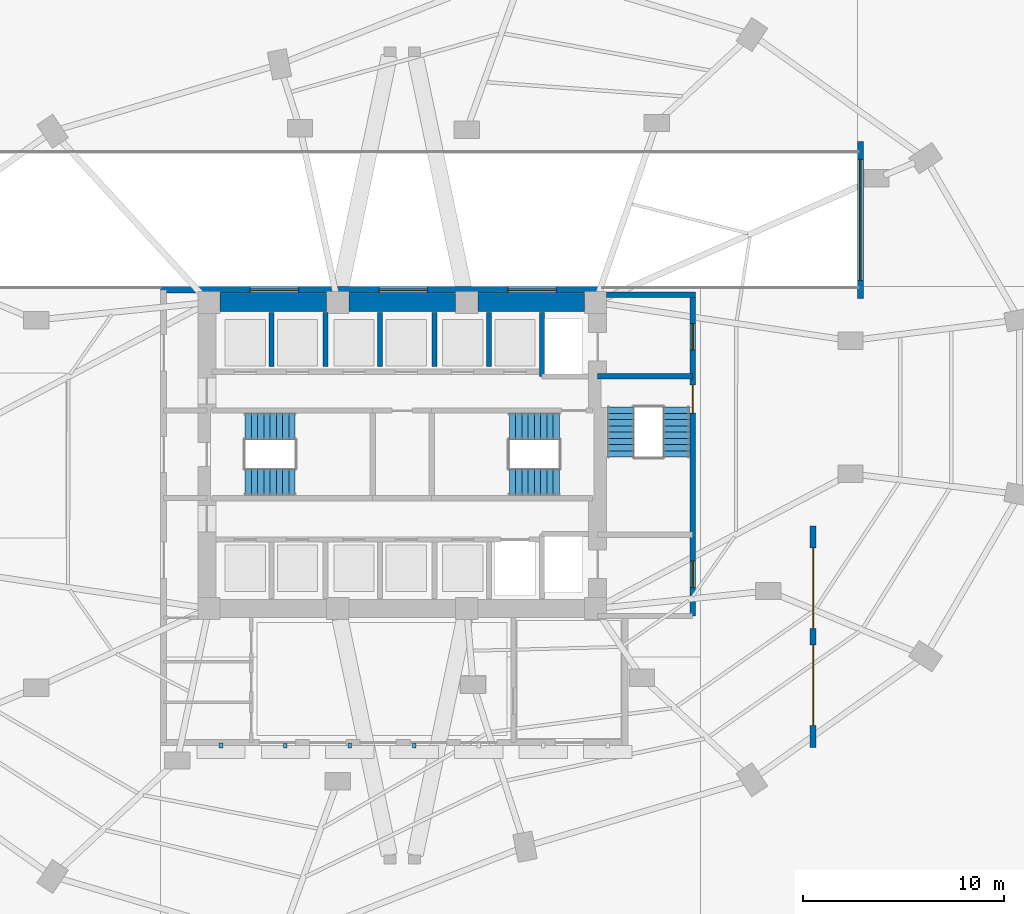
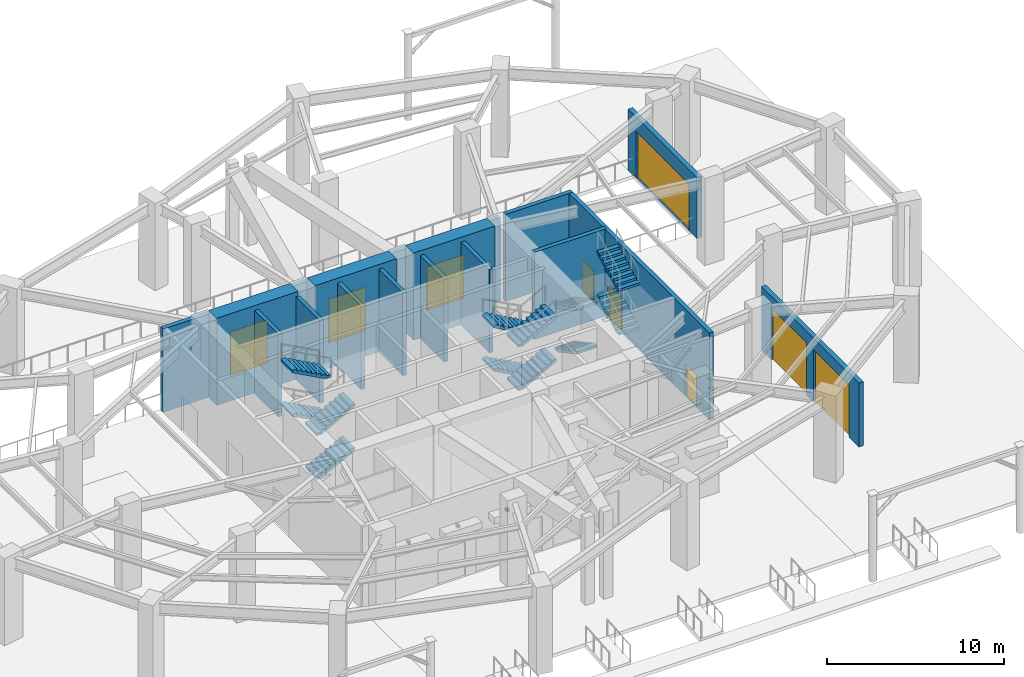
# One storey, part 10 of 14: 15 walls, 12 stair flights, 6 doors, 4 discrete accessories, 3 windows, 9 openings, 3 elements without a shape of their own.
"""IFC4 building model written with IfcOpenShell, lengths in metres."""

from ifc_helpers import new_model, si_unit, direction, frame, frame_2d, origin, origin_2d, place, context, subcontext, project, spatial, polyline, rectangle, outline, extrude, material, layer, layer_set, type_object, element, fill, aggregate, save


model = new_model("IFC4")

# Units and contexts
model_context = context("Model", 3, precision=1e-05, world=origin(), true_north=direction((0.0, 1.0)))
body_context = subcontext(model_context, "Body", "Model", "MODEL_VIEW")
ifc_project = project(units=[si_unit("LENGTHUNIT", "METRE"), si_unit("AREAUNIT", "SQUARE_METRE"), si_unit("VOLUMEUNIT", "CUBIC_METRE"), si_unit("PLANEANGLEUNIT", "RADIAN"), si_unit("MASSUNIT", "GRAM", prefix="KILO")], contexts=[model_context])

# Site, building, storey
site_placement = place(None, origin())
site = spatial("IfcSite", under=ifc_project, at=site_placement, CompositionType="ELEMENT")
building_placement = place(site_placement, origin())
building = spatial("IfcBuilding", under=site, at=building_placement, Name="Lazwardi Medical Tower", CompositionType="ELEMENT")
storey_placement = place(building_placement, origin())
storey = spatial("IfcBuildingStorey", under=building, at=storey_placement, Name="L00", CompositionType="ELEMENT", Elevation=0.0)

# Walls
ifc_material_1 = material(Name="Concrete C80/95", Category="concrete")
ifc_layer_1 = layer(ifc_material_1, 0.89990234375)
ifc_layer_set_1 = layer_set([ifc_layer_1], Name="Concrete C80/95")
wall_type_1 = type_object("IfcWallType", Name="WL-CORE-900", PredefinedType="SHEAR", material=ifc_layer_set_1)
wall_1_placement = place(storey_placement, frame((26.949951171875, 35.60009765625, 0.0), z_axis=(0.0, 0.0, 1.0), x_axis=(1.0, 0.0, 0.0)))
element("IfcWall", 1, at=wall_1_placement, inside=storey, type_object=wall_type_1, Name="Core wall CW-S1 N1 L00", PredefinedType="SHEAR", context=body_context, shape_type="SweptSolid", body=[
    extrude(rectangle(XDim=5.300048828125, YDim=0.89990234375, at=frame_2d((2.64990234375, 0.0))), origin(), (0.0, 0.0, 1.0), 6.0),
])
wall_2_placement = place(storey_placement, frame((33.35009765625, 35.60009765625, 0.0), z_axis=(0.0, 0.0, 1.0), x_axis=(1.0, 0.0, 0.0)))
element("IfcWall", 2, at=wall_2_placement, inside=storey, type_object=wall_type_1, Name="Core wall CW-S1 N2 L00", PredefinedType="SHEAR", context=body_context, shape_type="SweptSolid", body=[
    extrude(rectangle(XDim=5.2998046875, YDim=0.89990234375, at=frame_2d((2.64990234375, 0.0))), origin(), (0.0, 0.0, 1.0), 6.0),
])
wall_3_placement = place(storey_placement, frame((39.75, 35.60009765625, 0.0), z_axis=(0.0, 0.0, 1.0), x_axis=(1.0, 0.0, 0.0)))
element("IfcWall", 3, at=wall_3_placement, inside=storey, type_object=wall_type_1, Name="Core wall CW-S1 N3 L00", PredefinedType="SHEAR", context=body_context, shape_type="SweptSolid", body=[
    extrude(rectangle(XDim=5.300048828125, YDim=0.89990234375, at=frame_2d((2.64990234375, 0.0))), origin(), (0.0, 0.0, 1.0), 6.0),
])

# Wall, openings, windows
ifc_material_2 = material(Name="Precast concrete C45/55", Category="concrete")
ifc_layer_2 = layer(ifc_material_2, 0.300048828125)
ifc_layer_set_2 = layer_set([ifc_layer_2], Name="Precast concrete C45/55")
wall_type_2 = type_object("IfcWallType", Name="WL-LOBBY-300", PredefinedType="SOLIDWALL", material=ifc_layer_set_2)
wall_4_placement = place(storey_placement, frame((24.0, 36.22998046875, 0.0), z_axis=(0.0, 0.0, 1.0), x_axis=(1.0, 0.0, 0.0)))
wall_4 = element("IfcWall", 4, at=wall_4_placement, inside=storey, type_object=wall_type_2, Name="L00 North Lobby Exterior Wall", PredefinedType="SOLIDWALL", context=body_context, shape_type="SweptSolid", body=[
    extrude(rectangle(XDim=21.949951171875, YDim=0.300048828125, at=frame_2d((10.97509765625, 0.0))), origin(), (0.0, 0.0, 1.0), 5.719970703125),
])
opening_1_placement = place(wall_4_placement, frame((4.449951171875, 0.0, 0.89990234375)))
opening_1 = element("IfcOpeningElement", 5, at=opening_1_placement, cuts=wall_4, Name="Opening WN-05", PredefinedType="OPENING", context=body_context, shape_type="SweptSolid", body=[
    extrude(rectangle(XDim=2.39990234375, YDim=3.0, at=frame_2d((1.199951171875, 1.5))), frame((0.0, 0.159912109375, 0.0), z_axis=(0.0, -1.0, 0.0), x_axis=(1.0, 0.0, 0.0)), (0.0, 0.0, 1.0), 0.320068359375),
])
opening_2_placement = place(wall_4_placement, frame((10.85009765625, 0.0, 0.89990234375)))
opening_2 = element("IfcOpeningElement", 6, at=opening_2_placement, cuts=wall_4, Name="Opening WN-05", PredefinedType="OPENING", context=body_context, shape_type="SweptSolid", body=[
    extrude(rectangle(XDim=2.39990234375, YDim=3.0, at=frame_2d((1.199951171875, 1.5))), frame((0.0, 0.159912109375, 0.0), z_axis=(0.0, -1.0, 0.0), x_axis=(1.0, 0.0, 0.0)), (0.0, 0.0, 1.0), 0.320068359375),
])
opening_3_placement = place(wall_4_placement, frame((17.25, 0.0, 0.89990234375)))
opening_3 = element("IfcOpeningElement", 7, at=opening_3_placement, cuts=wall_4, Name="Opening WN-05", PredefinedType="OPENING", context=body_context, shape_type="SweptSolid", body=[
    extrude(rectangle(XDim=2.39990234375, YDim=3.0, at=frame_2d((1.199951171875, 1.5))), frame((0.0, 0.159912109375, 0.0), z_axis=(0.0, -1.0, 0.0), x_axis=(1.0, 0.0, 0.0)), (0.0, 0.0, 1.0), 0.320068359375),
])
ifc_material_3 = material(Name="Laminated acoustic bronze double glazing", Category="glass")
window_type = type_object("IfcWindowType", Name="WIN-LOB-2400", PartitioningType="SINGLE_PANEL", PredefinedType="WINDOW", material=ifc_material_3)
window_1_placement = place(opening_1_placement, origin())
window_1 = element("IfcWindow", 8, at=window_1_placement, inside=storey, type_object=window_type, Name="L00 North Lobby Window 1", OverallHeight=3.0, OverallWidth=2.39990234375, PartitioningType="SINGLE_PANEL", PredefinedType="WINDOW", context=body_context, shape_type="SweptSolid", body=[
    extrude(rectangle(XDim=2.39990234375, YDim=3.0, at=frame_2d((1.199951171875, 1.5))), frame((0.0, 0.030029296875, 0.0), z_axis=(0.0, -1.0, 0.0), x_axis=(1.0, 0.0, 0.0)), (0.0, 0.0, 1.0), 0.06005859375),
])
fill(opening_1, window_1)
window_2_placement = place(opening_2_placement, origin())
window_2 = element("IfcWindow", 9, at=window_2_placement, inside=storey, type_object=window_type, Name="L00 North Lobby Window 2", OverallHeight=3.0, OverallWidth=2.39990234375, PartitioningType="SINGLE_PANEL", PredefinedType="WINDOW", context=body_context, shape_type="SweptSolid", body=[
    extrude(rectangle(XDim=2.39990234375, YDim=3.0, at=frame_2d((1.199951171875, 1.5))), frame((0.0, 0.030029296875, 0.0), z_axis=(0.0, -1.0, 0.0), x_axis=(1.0, 0.0, 0.0)), (0.0, 0.0, 1.0), 0.06005859375),
])
fill(opening_2, window_2)
window_3_placement = place(opening_3_placement, origin())
window_3 = element("IfcWindow", 10, at=window_3_placement, inside=storey, type_object=window_type, Name="L00 North Lobby Window 3", OverallHeight=3.0, OverallWidth=2.39990234375, PartitioningType="SINGLE_PANEL", PredefinedType="WINDOW", context=body_context, shape_type="SweptSolid", body=[
    extrude(rectangle(XDim=2.39990234375, YDim=3.0, at=frame_2d((1.199951171875, 1.5))), frame((0.0, 0.030029296875, 0.0), z_axis=(0.0, -1.0, 0.0), x_axis=(1.0, 0.0, 0.0)), (0.0, 0.0, 1.0), 0.06005859375),
])
fill(opening_3, window_3)

# Wall, opening, door
wall_5_placement = place(storey_placement, frame((58.75, 43.60009765625, 0.0), z_axis=(0.0, 0.0, 1.0), x_axis=(0.0, -1.0, 0.0)))
wall_5 = element("IfcWall", 11, at=wall_5_placement, inside=storey, type_object=wall_type_2, Name="L00 Car Park Ramp Exterior Portal Wall", PredefinedType="SOLIDWALL", context=body_context, shape_type="SweptSolid", body=[
    extrude(rectangle(XDim=7.800048828125, YDim=0.300048828125, at=frame_2d((3.89990234375, 0.0))), origin(), (0.0, 0.0, 1.0), 4.199951171875),
])
opening_4_placement = place(wall_5_placement, frame((0.89990234375, 0.0, 0.0)))
opening_4 = element("IfcOpeningElement", 12, at=opening_4_placement, cuts=wall_5, Name="Opening VG-L00-001", PredefinedType="OPENING", context=body_context, shape_type="SweptSolid", body=[
    extrude(rectangle(XDim=6.0, YDim=3.199951171875, at=frame_2d((3.0, 1.60009765625))), frame((0.0, 0.159912109375, 0.0), z_axis=(0.0, -1.0, 0.0), x_axis=(1.0, 0.0, 0.0)), (0.0, 0.0, 1.0), 0.320068359375),
])
ifc_material_4 = material(Name="Perforated anodised bronze aluminium security gate", Category="aluminium")
door_type_1 = type_object("IfcDoorType", Name="DR-VEH-6000", OperationType="NOTDEFINED", PredefinedType="GATE", material=ifc_material_4)
door_1_placement = place(opening_4_placement, origin())
door_1 = element("IfcDoor", 13, at=door_1_placement, inside=storey, type_object=door_type_1, Name="L00 Car Park Vehicle Ramp Gate VG-01", OperationType="FOLDING_TO_LEFT", OverallHeight=3.199951171875, OverallWidth=6.0, PredefinedType="GATE", context=body_context, shape_type="SweptSolid", body=[
    extrude(rectangle(XDim=6.0, YDim=3.199951171875, at=frame_2d((3.0, 1.60009765625))), frame((0.0, 0.02490234375, 0.0), z_axis=(0.0, -1.0, 0.0), x_axis=(1.0, 0.0, 0.0)), (0.0, 0.0, 1.0), 0.050048828125),
])
fill(opening_4, door_1)

# Wall, openings, doors
wall_6_placement = place(storey_placement, frame((56.39990234375, 24.5, 0.0), z_axis=(0.0, 0.0, 1.0), x_axis=(0.0, -1.0, 0.0)))
wall_6 = element("IfcWall", 14, at=wall_6_placement, inside=storey, type_object=wall_type_2, Name="L00 Ambulance & Service Bay Portal Wall", PredefinedType="SOLIDWALL", context=body_context, shape_type="SweptSolid", body=[
    extrude(rectangle(XDim=11.0, YDim=0.300048828125, at=frame_2d((5.5, 0.0))), origin(), (0.0, 0.0, 1.0), 4.39990234375),
])
opening_5_placement = place(wall_6_placement, frame((1.10009765625, 0.0, 0.0)))
opening_5 = element("IfcOpeningElement", 15, at=opening_5_placement, cuts=wall_6, Name="Opening VG-L00-002", PredefinedType="OPENING", context=body_context, shape_type="SweptSolid", body=[
    extrude(rectangle(XDim=4.0, YDim=3.60009765625, at=frame_2d((2.0, 1.800048828125))), frame((0.0, 0.159912109375, 0.0), z_axis=(0.0, -1.0, 0.0), x_axis=(1.0, 0.0, 0.0)), (0.0, 0.0, 1.0), 0.320068359375),
])
opening_6_placement = place(wall_6_placement, frame((5.89990234375, 0.0, 0.0)))
opening_6 = element("IfcOpeningElement", 16, at=opening_6_placement, cuts=wall_6, Name="Opening VG-L00-003", PredefinedType="OPENING", context=body_context, shape_type="SweptSolid", body=[
    extrude(rectangle(XDim=4.0, YDim=3.60009765625, at=frame_2d((2.0, 1.800048828125))), frame((0.0, 0.159912109375, 0.0), z_axis=(0.0, -1.0, 0.0), x_axis=(1.0, 0.0, 0.0)), (0.0, 0.0, 1.0), 0.320068359375),
])
ifc_material_5 = material(Name="Insulated galvanised steel roller shutter", Category="steel")
door_type_2 = type_object("IfcDoorType", Name="DR-LDG-4000", OperationType="NOTDEFINED", PredefinedType="GATE", material=ifc_material_5)
door_2_placement = place(opening_5_placement, origin())
door_2 = element("IfcDoor", 17, at=door_2_placement, inside=storey, type_object=door_type_2, Name="L00 Service Yard Shutter VG-02-1", OperationType="ROLLINGUP", OverallHeight=3.60009765625, OverallWidth=4.0, PredefinedType="GATE", context=body_context, shape_type="SweptSolid", body=[
    extrude(rectangle(XDim=4.0, YDim=3.60009765625, at=frame_2d((2.0, 1.800048828125))), frame((0.0, 0.02490234375, 0.0), z_axis=(0.0, -1.0, 0.0), x_axis=(1.0, 0.0, 0.0)), (0.0, 0.0, 1.0), 0.050048828125),
])
fill(opening_5, door_2)
door_3_placement = place(opening_6_placement, origin())
door_3 = element("IfcDoor", 18, at=door_3_placement, inside=storey, type_object=door_type_2, Name="L00 Service Yard Shutter VG-02-2", OperationType="ROLLINGUP", OverallHeight=3.60009765625, OverallWidth=4.0, PredefinedType="GATE", context=body_context, shape_type="SweptSolid", body=[
    extrude(rectangle(XDim=4.0, YDim=3.60009765625, at=frame_2d((2.0, 1.800048828125))), frame((0.0, 0.02490234375, 0.0), z_axis=(0.0, -1.0, 0.0), x_axis=(1.0, 0.0, 0.0)), (0.0, 0.0, 1.0), 0.050048828125),
])
fill(opening_6, door_3)

# Walls
ifc_material_6 = material(Name="Autoclaved aerated concrete blockwork", Category="masonry")
ifc_layer_3 = layer(ifc_material_6, 0.25)
ifc_layer_set_3 = layer_set([ifc_layer_3], Name="Autoclaved aerated concrete blockwork")
wall_type_3 = type_object("IfcWallType", Name="WL-SHAFT-250", PredefinedType="SOLIDWALL", material=ifc_layer_set_3)
wall_7_placement = place(storey_placement, frame((42.949951171875, 31.919921875, 0.0), z_axis=(0.0, 0.0, 1.0), x_axis=(0.0, 1.0, 0.0)))
element("IfcWall", 19, at=wall_7_placement, inside=storey, type_object=wall_type_3, Name="L00 FL-01 West shaft wall", PredefinedType="SOLIDWALL", context=body_context, shape_type="SweptSolid", body=[
    extrude(rectangle(XDim=3.18017578125, YDim=0.25, at=frame_2d((1.590087890625, 0.0))), origin(), (0.0, 0.0, 1.0), 5.719970703125),
])
for number, where, z_axis, x_axis, name in (
    (20, (29.5, 32.419921875, 0.0), (0.0, 0.0, 1.0), (0.0, 1.0, 0.0), "L00 North hoistway divider"),
    (21, (32.199951171875, 32.419921875, 0.0), (0.0, 0.0, 1.0), (0.0, 1.0, 0.0), "L00 North hoistway divider"),
    (22, (34.89990234375, 32.419921875, 0.0), (0.0, 0.0, 1.0), (0.0, 1.0, 0.0), "L00 North hoistway divider"),
    (23, (37.60009765625, 32.419921875, 0.0), (0.0, 0.0, 1.0), (0.0, 1.0, 0.0), "L00 North hoistway divider"),
    (24, (40.300048828125, 32.419921875, 0.0), (0.0, 0.0, 1.0), (0.0, 1.0, 0.0), "L00 North hoistway divider"),
):
    element("IfcWall", number, at=place(storey_placement, frame(where, z_axis=z_axis, x_axis=x_axis)), inside=storey, type_object=wall_type_3, Name=name, PredefinedType="SOLIDWALL", context=body_context, shape_type="SweptSolid", body=[
        extrude(rectangle(XDim=2.68017578125, YDim=0.25, at=frame_2d((1.340087890625, 0.0))), origin(), (0.0, 0.0, 1.0), 5.719970703125),
    ])

# Wall, openings, doors
ifc_material_7 = material(Name="Concrete C50/60", Category="concrete")
ifc_layer_4 = layer(ifc_material_7, 0.27001953125)
ifc_layer_set_4 = layer_set([ifc_layer_4], Name="Concrete C50/60")
wall_type_4 = type_object("IfcWallType", Name="WL-STR-250", PredefinedType="SHEAR", material=ifc_layer_set_4)
wall_8_placement = place(storey_placement, frame((50.4150390625, 35.844970703125, 0.0), z_axis=(0.0, 0.0, 1.0), x_axis=(0.0, -1.0, 0.0)))
wall_8 = element("IfcWall", 25, at=wall_8_placement, inside=storey, type_object=wall_type_4, Name="L00 East ST3 & FFL shear wall SW-S1", PredefinedType="SHEAR", context=body_context, shape_type="SweptSolid", body=[
    extrude(rectangle(XDim=15.824951171875, YDim=0.27001953125, at=frame_2d((7.91259765625, 0.0))), origin(), (0.0, 0.0, 1.0), 6.0),
])
opening_7_placement = place(wall_8_placement, frame((4.344970703125, 0.0, 0.0)))
opening_7 = element("IfcOpeningElement", 26, at=opening_7_placement, cuts=wall_8, Name="Opening D-L00-011", PredefinedType="OPENING", context=body_context, shape_type="SweptSolid", body=[
    extrude(rectangle(XDim=1.39990234375, YDim=2.25, at=frame_2d((0.699951171875, 1.125))), frame((0.0, 0.14501953125, 0.0), z_axis=(0.0, -1.0, 0.0), x_axis=(1.0, 0.0, 0.0)), (0.0, 0.0, 1.0), 0.2900390625),
])
opening_8_placement = place(wall_8_placement, frame((1.294921875, 0.0, 0.0)))
opening_8 = element("IfcOpeningElement", 27, at=opening_8_placement, cuts=wall_8, Name="Opening D-L00-004", PredefinedType="OPENING", context=body_context, shape_type="SweptSolid", body=[
    extrude(rectangle(XDim=1.300048828125, YDim=2.199951171875, at=frame_2d((0.64990234375, 1.10009765625))), frame((0.0, 0.14501953125, 0.0), z_axis=(0.0, -1.0, 0.0), x_axis=(1.0, 0.0, 0.0)), (0.0, 0.0, 1.0), 0.2900390625),
])
opening_9_placement = place(wall_8_placement, frame((13.094970703125, 0.0, 0.0)))
opening_9 = element("IfcOpeningElement", 28, at=opening_9_placement, cuts=wall_8, Name="Opening D-L00-005", PredefinedType="OPENING", context=body_context, shape_type="SweptSolid", body=[
    extrude(rectangle(XDim=1.300048828125, YDim=2.199951171875, at=frame_2d((0.64990234375, 1.10009765625))), frame((0.0, 0.14501953125, 0.0), z_axis=(0.0, -1.0, 0.0), x_axis=(1.0, 0.0, 0.0)), (0.0, 0.0, 1.0), 0.2900390625),
])
ifc_material_8 = material(Name="Anodised bronze aluminium and laminated glass", Category="aluminium")
door_type_3 = type_object("IfcDoorType", Name="DR-EXT-1400", OperationType="NOTDEFINED", PredefinedType="DOOR", material=ifc_material_8)
door_4_placement = place(opening_7_placement, origin())
door_4 = element("IfcDoor", 29, at=door_4_placement, inside=storey, type_object=door_type_3, Name="L00 Exit Stair ST3 Final Exit Door", OperationType="SINGLE_SWING_LEFT", OverallHeight=2.25, OverallWidth=1.39990234375, PredefinedType="DOOR", context=body_context, shape_type="SweptSolid", body=[
    extrude(rectangle(XDim=1.39990234375, YDim=2.25, at=frame_2d((0.699951171875, 1.125))), frame((0.0, 0.02490234375, 0.0), z_axis=(0.0, -1.0, 0.0), x_axis=(1.0, 0.0, 0.0)), (0.0, 0.0, 1.0), 0.050048828125),
])
fill(opening_7, door_4)
ifc_material_9 = material(Name="Fire-rated steel leaf and frame", Category="steel")
door_type_4 = type_object("IfcDoorType", Name="DR-FFL-1300", OperationType="NOTDEFINED", PredefinedType="DOOR", material=ifc_material_9)
door_5_placement = place(opening_8_placement, origin())
door_5 = element("IfcDoor", 30, at=door_5_placement, inside=storey, type_object=door_type_4, Name="L00 FFL North Exit Door", OperationType="SINGLE_SWING_LEFT", OverallHeight=2.199951171875, OverallWidth=1.300048828125, PredefinedType="DOOR", context=body_context, shape_type="SweptSolid", body=[
    extrude(rectangle(XDim=1.300048828125, YDim=2.199951171875, at=frame_2d((0.64990234375, 1.10009765625))), frame((0.0, 0.02490234375, 0.0), z_axis=(0.0, -1.0, 0.0), x_axis=(1.0, 0.0, 0.0)), (0.0, 0.0, 1.0), 0.050048828125),
])
fill(opening_8, door_5)
door_6_placement = place(opening_9_placement, origin())
door_6 = element("IfcDoor", 31, at=door_6_placement, inside=storey, type_object=door_type_4, Name="L00 FFL South Exit Door", OperationType="SINGLE_SWING_LEFT", OverallHeight=2.199951171875, OverallWidth=1.300048828125, PredefinedType="DOOR", context=body_context, shape_type="SweptSolid", body=[
    extrude(rectangle(XDim=1.300048828125, YDim=2.199951171875, at=frame_2d((0.64990234375, 1.10009765625))), frame((0.0, 0.02490234375, 0.0), z_axis=(0.0, -1.0, 0.0), x_axis=(1.0, 0.0, 0.0)), (0.0, 0.0, 1.0), 0.050048828125),
])
fill(opening_9, door_6)

# Walls
wall_9_placement = place(storey_placement, frame((46.14990234375, 35.97998046875, 0.0), z_axis=(0.0, 0.0, 1.0), x_axis=(1.0, 0.0, 0.0)))
element("IfcWall", 32, at=wall_9_placement, inside=storey, type_object=wall_type_4, Name="L00 FFL-N North shear wall SW-S1", PredefinedType="SHEAR", context=body_context, shape_type="SweptSolid", body=[
    extrude(rectangle(XDim=4.400146484375, YDim=0.27001953125, at=frame_2d((2.2001953125, 0.0))), origin(), (0.0, 0.0, 1.0), 6.0),
])
wall_10_placement = place(storey_placement, frame((45.699951171875, 31.93505859375, 0.0), z_axis=(0.0, 0.0, 1.0), x_axis=(1.0, 0.0, 0.0)))
element("IfcWall", 33, at=wall_10_placement, inside=storey, type_object=wall_type_4, Name="L00 ST3 North shear shaft wall SW-S1", PredefinedType="SHEAR", context=body_context, shape_type="SweptSolid", body=[
    extrude(rectangle(XDim=4.715087890625, YDim=0.27001953125, at=frame_2d((2.357421875, 0.0))), origin(), (0.0, 0.0, 1.0), 6.0),
])

# Stair, stair flights
ifc_material_10 = material(Name="Concrete C45/55", Category="concrete")
stair_type = type_object("IfcStairType", Name="STR-L00", PredefinedType="HALF_TURN_STAIR", material=ifc_material_10)
stair_1_placement = place(storey_placement, origin())
stair_1 = element("IfcStair", 34, at=stair_1_placement, inside=storey, type_object=stair_type, Name="L00 Protected Exit Stair ST1", PredefinedType="HALF_TURN_STAIR")
stair_flight_type = type_object("IfcStairFlightType", Name="FLT-L00", PredefinedType="STRAIGHT", material=ifc_material_10)
stair_flight_1_placement = place(storey_placement, frame((28.199951171875, 26.679931640625, 0.0), z_axis=(0.0, 0.0, 1.0), x_axis=(1.0, 0.0, 0.0)))
stair_flight_1 = element("IfcStairFlight", 35, at=stair_flight_1_placement, type_object=stair_flight_type, Name="ST1 flight 1", NumberOfRisers=9, NumberOfTreads=8, PredefinedType="STRAIGHT", RiserHeight=0.166666667, TreadLength=0.31, context=body_context, shape_type="SweptSolid", body=[
    extrude(outline(polyline([(0.0, 0.0), (0.0, 0.166748046875), (0.31005859375, 0.166748046875), (0.31005859375, 0.333251953125), (0.6201171875, 0.333251953125), (0.6201171875, 0.5), (0.929931640625, 0.5), (0.929931640625, 0.666748046875), (1.239990234375, 0.666748046875), (1.239990234375, 0.833251953125), (1.550048828125, 0.833251953125), (1.550048828125, 1.0), (1.860107421875, 1.0), (1.860107421875, 1.166748046875), (2.169921875, 1.166748046875), (2.169921875, 1.333251953125), (2.47998046875, 1.333251953125), (2.47998046875, 1.5), (2.47998046875, 1.1630859375), (0.316650390625, 0.0), (0.0, 0.0)])), frame((0.0, 0.66015625, 0.0), z_axis=(0.0, -1.0, 0.0), x_axis=(1.0, 0.0, 0.0)), (0.0, 0.0, 1.0), 1.320068359375),
])
stair_flight_2_placement = place(storey_placement, frame((30.679931640625, 29.43994140625, 1.5), z_axis=(0.0, 0.0, 1.0), x_axis=(-1.0, 0.0, 0.0)))
stair_flight_2 = element("IfcStairFlight", 36, at=stair_flight_2_placement, type_object=stair_flight_type, Name="ST1 flight 2", NumberOfRisers=9, NumberOfTreads=8, PredefinedType="STRAIGHT", RiserHeight=0.166666667, TreadLength=0.31, context=body_context, shape_type="SweptSolid", body=[
    extrude(outline(polyline([(0.0, 0.0), (0.0, 0.166748046875), (0.31005859375, 0.166748046875), (0.31005859375, 0.333251953125), (0.6201171875, 0.333251953125), (0.6201171875, 0.5), (0.929931640625, 0.5), (0.929931640625, 0.666748046875), (1.239990234375, 0.666748046875), (1.239990234375, 0.833251953125), (1.550048828125, 0.833251953125), (1.550048828125, 1.0), (1.860107421875, 1.0), (1.860107421875, 1.166748046875), (2.169921875, 1.166748046875), (2.169921875, 1.333251953125), (2.47998046875, 1.333251953125), (2.47998046875, 1.5), (2.47998046875, 1.1630859375), (0.316650390625, 0.0), (0.0, 0.0)])), frame((0.0, 0.66015625, 0.0), z_axis=(0.0, -1.0, 0.0), x_axis=(1.0, 0.0, 0.0)), (0.0, 0.0, 1.0), 1.320068359375),
])
stair_flight_3_placement = place(storey_placement, frame((28.199951171875, 26.679931640625, 3.0), z_axis=(0.0, 0.0, 1.0), x_axis=(1.0, 0.0, 0.0)))
stair_flight_3 = element("IfcStairFlight", 37, at=stair_flight_3_placement, type_object=stair_flight_type, Name="ST1 flight 3", NumberOfRisers=9, NumberOfTreads=8, PredefinedType="STRAIGHT", RiserHeight=0.166666667, TreadLength=0.31, context=body_context, shape_type="SweptSolid", body=[
    extrude(outline(polyline([(0.0, 0.0), (0.0, 0.166748046875), (0.31005859375, 0.166748046875), (0.31005859375, 0.333251953125), (0.6201171875, 0.333251953125), (0.6201171875, 0.5), (0.929931640625, 0.5), (0.929931640625, 0.666748046875), (1.239990234375, 0.666748046875), (1.239990234375, 0.833251953125), (1.550048828125, 0.833251953125), (1.550048828125, 1.0), (1.860107421875, 1.0), (1.860107421875, 1.166748046875), (2.169921875, 1.166748046875), (2.169921875, 1.333251953125), (2.47998046875, 1.333251953125), (2.47998046875, 1.5), (2.47998046875, 1.1630859375), (0.316650390625, 0.0), (0.0, 0.0)])), frame((0.0, 0.66015625, 0.0), z_axis=(0.0, -1.0, 0.0), x_axis=(1.0, 0.0, 0.0)), (0.0, 0.0, 1.0), 1.320068359375),
])
stair_flight_4_placement = place(storey_placement, frame((30.679931640625, 29.43994140625, 4.5), z_axis=(0.0, 0.0, 1.0), x_axis=(-1.0, 0.0, 0.0)))
stair_flight_4 = element("IfcStairFlight", 38, at=stair_flight_4_placement, type_object=stair_flight_type, Name="ST1 flight 4", NumberOfRisers=9, NumberOfTreads=8, PredefinedType="STRAIGHT", RiserHeight=0.166666667, TreadLength=0.31, context=body_context, shape_type="SweptSolid", body=[
    extrude(outline(polyline([(0.0, 0.0), (0.0, 0.166748046875), (0.31005859375, 0.166748046875), (0.31005859375, 0.333251953125), (0.6201171875, 0.333251953125), (0.6201171875, 0.5), (0.929931640625, 0.5), (0.929931640625, 0.666748046875), (1.239990234375, 0.666748046875), (1.239990234375, 0.833251953125), (1.550048828125, 0.833251953125), (1.550048828125, 1.0), (1.860107421875, 1.0), (1.860107421875, 1.166748046875), (2.169921875, 1.166748046875), (2.169921875, 1.333251953125), (2.47998046875, 1.333251953125), (2.47998046875, 1.5), (2.47998046875, 1.1630859375), (0.316650390625, 0.0), (0.0, 0.0)])), frame((0.0, 0.66015625, 0.0), z_axis=(0.0, -1.0, 0.0), x_axis=(1.0, 0.0, 0.0)), (0.0, 0.0, 1.0), 1.320068359375),
])
aggregate(stair_1, [stair_flight_1, stair_flight_2, stair_flight_3, stair_flight_4])

stair_2_placement = place(storey_placement, origin())
stair_2 = element("IfcStair", 39, at=stair_2_placement, inside=storey, type_object=stair_type, Name="L00 Protected Exit Stair ST2", PredefinedType="HALF_TURN_STAIR")
stair_flight_5_placement = place(storey_placement, frame((43.800048828125, 29.43994140625, 0.0), z_axis=(0.0, 0.0, 1.0), x_axis=(-1.0, 0.0, 0.0)))
stair_flight_5 = element("IfcStairFlight", 40, at=stair_flight_5_placement, type_object=stair_flight_type, Name="ST2 flight 1", NumberOfRisers=9, NumberOfTreads=8, PredefinedType="STRAIGHT", RiserHeight=0.166666667, TreadLength=0.31, context=body_context, shape_type="SweptSolid", body=[
    extrude(outline(polyline([(0.0, 0.0), (0.0, 0.166748046875), (0.31005859375, 0.166748046875), (0.31005859375, 0.333251953125), (0.6201171875, 0.333251953125), (0.6201171875, 0.5), (0.929931640625, 0.5), (0.929931640625, 0.666748046875), (1.239990234375, 0.666748046875), (1.239990234375, 0.833251953125), (1.550048828125, 0.833251953125), (1.550048828125, 1.0), (1.860107421875, 1.0), (1.860107421875, 1.166748046875), (2.169921875, 1.166748046875), (2.169921875, 1.333251953125), (2.47998046875, 1.333251953125), (2.47998046875, 1.5), (2.47998046875, 1.1630859375), (0.316650390625, 0.0), (0.0, 0.0)])), frame((0.0, 0.66015625, 0.0), z_axis=(0.0, -1.0, 0.0), x_axis=(1.0, 0.0, 0.0)), (0.0, 0.0, 1.0), 1.320068359375),
])
stair_flight_6_placement = place(storey_placement, frame((41.320068359375, 26.679931640625, 1.5), z_axis=(0.0, 0.0, 1.0), x_axis=(1.0, 0.0, 0.0)))
stair_flight_6 = element("IfcStairFlight", 41, at=stair_flight_6_placement, type_object=stair_flight_type, Name="ST2 flight 2", NumberOfRisers=9, NumberOfTreads=8, PredefinedType="STRAIGHT", RiserHeight=0.166666667, TreadLength=0.31, context=body_context, shape_type="SweptSolid", body=[
    extrude(outline(polyline([(0.0, 0.0), (0.0, 0.166748046875), (0.31005859375, 0.166748046875), (0.31005859375, 0.333251953125), (0.6201171875, 0.333251953125), (0.6201171875, 0.5), (0.929931640625, 0.5), (0.929931640625, 0.666748046875), (1.239990234375, 0.666748046875), (1.239990234375, 0.833251953125), (1.550048828125, 0.833251953125), (1.550048828125, 1.0), (1.860107421875, 1.0), (1.860107421875, 1.166748046875), (2.169921875, 1.166748046875), (2.169921875, 1.333251953125), (2.47998046875, 1.333251953125), (2.47998046875, 1.5), (2.47998046875, 1.1630859375), (0.316650390625, 0.0), (0.0, 0.0)])), frame((0.0, 0.66015625, 0.0), z_axis=(0.0, -1.0, 0.0), x_axis=(1.0, 0.0, 0.0)), (0.0, 0.0, 1.0), 1.320068359375),
])
stair_flight_7_placement = place(storey_placement, frame((43.800048828125, 29.43994140625, 3.0), z_axis=(0.0, 0.0, 1.0), x_axis=(-1.0, 0.0, 0.0)))
stair_flight_7 = element("IfcStairFlight", 42, at=stair_flight_7_placement, type_object=stair_flight_type, Name="ST2 flight 3", NumberOfRisers=9, NumberOfTreads=8, PredefinedType="STRAIGHT", RiserHeight=0.166666667, TreadLength=0.31, context=body_context, shape_type="SweptSolid", body=[
    extrude(outline(polyline([(0.0, 0.0), (0.0, 0.166748046875), (0.31005859375, 0.166748046875), (0.31005859375, 0.333251953125), (0.6201171875, 0.333251953125), (0.6201171875, 0.5), (0.929931640625, 0.5), (0.929931640625, 0.666748046875), (1.239990234375, 0.666748046875), (1.239990234375, 0.833251953125), (1.550048828125, 0.833251953125), (1.550048828125, 1.0), (1.860107421875, 1.0), (1.860107421875, 1.166748046875), (2.169921875, 1.166748046875), (2.169921875, 1.333251953125), (2.47998046875, 1.333251953125), (2.47998046875, 1.5), (2.47998046875, 1.1630859375), (0.316650390625, 0.0), (0.0, 0.0)])), frame((0.0, 0.66015625, 0.0), z_axis=(0.0, -1.0, 0.0), x_axis=(1.0, 0.0, 0.0)), (0.0, 0.0, 1.0), 1.320068359375),
])
stair_flight_8_placement = place(storey_placement, frame((41.320068359375, 26.679931640625, 4.5), z_axis=(0.0, 0.0, 1.0), x_axis=(1.0, 0.0, 0.0)))
stair_flight_8 = element("IfcStairFlight", 43, at=stair_flight_8_placement, type_object=stair_flight_type, Name="ST2 flight 4", NumberOfRisers=9, NumberOfTreads=8, PredefinedType="STRAIGHT", RiserHeight=0.166666667, TreadLength=0.31, context=body_context, shape_type="SweptSolid", body=[
    extrude(outline(polyline([(0.0, 0.0), (0.0, 0.166748046875), (0.31005859375, 0.166748046875), (0.31005859375, 0.333251953125), (0.6201171875, 0.333251953125), (0.6201171875, 0.5), (0.929931640625, 0.5), (0.929931640625, 0.666748046875), (1.239990234375, 0.666748046875), (1.239990234375, 0.833251953125), (1.550048828125, 0.833251953125), (1.550048828125, 1.0), (1.860107421875, 1.0), (1.860107421875, 1.166748046875), (2.169921875, 1.166748046875), (2.169921875, 1.333251953125), (2.47998046875, 1.333251953125), (2.47998046875, 1.5), (2.47998046875, 1.1630859375), (0.316650390625, 0.0), (0.0, 0.0)])), frame((0.0, 0.66015625, 0.0), z_axis=(0.0, -1.0, 0.0), x_axis=(1.0, 0.0, 0.0)), (0.0, 0.0, 1.0), 1.320068359375),
])
aggregate(stair_2, [stair_flight_5, stair_flight_6, stair_flight_7, stair_flight_8])

stair_3_placement = place(storey_placement, origin())
stair_3 = element("IfcStair", 44, at=stair_3_placement, inside=storey, type_object=stair_type, Name="L00 Protected Exit Stair ST3", PredefinedType="HALF_TURN_STAIR")
stair_flight_9_placement = place(storey_placement, frame((46.860107421875, 30.39990234375, 0.0), z_axis=(0.0, 0.0, 1.0), x_axis=(0.0, -1.0, 0.0)))
stair_flight_9 = element("IfcStairFlight", 45, at=stair_flight_9_placement, type_object=stair_flight_type, Name="ST3 flight 1", NumberOfRisers=9, NumberOfTreads=8, PredefinedType="STRAIGHT", RiserHeight=0.166666667, TreadLength=0.31, context=body_context, shape_type="SweptSolid", body=[
    extrude(outline(polyline([(0.0, 0.0), (0.0, 0.166748046875), (0.31005859375, 0.166748046875), (0.31005859375, 0.333251953125), (0.6201171875, 0.333251953125), (0.6201171875, 0.5), (0.929931640625, 0.5), (0.929931640625, 0.666748046875), (1.239990234375, 0.666748046875), (1.239990234375, 0.833251953125), (1.550048828125, 0.833251953125), (1.550048828125, 1.0), (1.860107421875, 1.0), (1.860107421875, 1.166748046875), (2.169921875, 1.166748046875), (2.169921875, 1.333251953125), (2.47998046875, 1.333251953125), (2.47998046875, 1.5), (2.47998046875, 1.1630859375), (0.316650390625, 0.0), (0.0, 0.0)])), frame((0.0, 0.66015625, 0.0), z_axis=(0.0, -1.0, 0.0), x_axis=(1.0, 0.0, 0.0)), (0.0, 0.0, 1.0), 1.320068359375),
])
stair_flight_10_placement = place(storey_placement, frame((49.6201171875, 27.919921875, 1.5), z_axis=(0.0, 0.0, 1.0), x_axis=(0.0, 1.0, 0.0)))
stair_flight_10 = element("IfcStairFlight", 46, at=stair_flight_10_placement, type_object=stair_flight_type, Name="ST3 flight 2", NumberOfRisers=9, NumberOfTreads=8, PredefinedType="STRAIGHT", RiserHeight=0.166666667, TreadLength=0.31, context=body_context, shape_type="SweptSolid", body=[
    extrude(outline(polyline([(0.0, 0.0), (0.0, 0.166748046875), (0.31005859375, 0.166748046875), (0.31005859375, 0.333251953125), (0.6201171875, 0.333251953125), (0.6201171875, 0.5), (0.929931640625, 0.5), (0.929931640625, 0.666748046875), (1.239990234375, 0.666748046875), (1.239990234375, 0.833251953125), (1.550048828125, 0.833251953125), (1.550048828125, 1.0), (1.860107421875, 1.0), (1.860107421875, 1.166748046875), (2.169921875, 1.166748046875), (2.169921875, 1.333251953125), (2.47998046875, 1.333251953125), (2.47998046875, 1.5), (2.47998046875, 1.1630859375), (0.316650390625, 0.0), (0.0, 0.0)])), frame((0.0, 0.66015625, 0.0), z_axis=(0.0, -1.0, 0.0), x_axis=(1.0, 0.0, 0.0)), (0.0, 0.0, 1.0), 1.320068359375),
])
stair_flight_11_placement = place(storey_placement, frame((46.860107421875, 30.39990234375, 3.0), z_axis=(0.0, 0.0, 1.0), x_axis=(0.0, -1.0, 0.0)))
stair_flight_11 = element("IfcStairFlight", 47, at=stair_flight_11_placement, type_object=stair_flight_type, Name="ST3 flight 3", NumberOfRisers=9, NumberOfTreads=8, PredefinedType="STRAIGHT", RiserHeight=0.166666667, TreadLength=0.31, context=body_context, shape_type="SweptSolid", body=[
    extrude(outline(polyline([(0.0, 0.0), (0.0, 0.166748046875), (0.31005859375, 0.166748046875), (0.31005859375, 0.333251953125), (0.6201171875, 0.333251953125), (0.6201171875, 0.5), (0.929931640625, 0.5), (0.929931640625, 0.666748046875), (1.239990234375, 0.666748046875), (1.239990234375, 0.833251953125), (1.550048828125, 0.833251953125), (1.550048828125, 1.0), (1.860107421875, 1.0), (1.860107421875, 1.166748046875), (2.169921875, 1.166748046875), (2.169921875, 1.333251953125), (2.47998046875, 1.333251953125), (2.47998046875, 1.5), (2.47998046875, 1.1630859375), (0.316650390625, 0.0), (0.0, 0.0)])), frame((0.0, 0.66015625, 0.0), z_axis=(0.0, -1.0, 0.0), x_axis=(1.0, 0.0, 0.0)), (0.0, 0.0, 1.0), 1.320068359375),
])
stair_flight_12_placement = place(storey_placement, frame((49.6201171875, 27.919921875, 4.5), z_axis=(0.0, 0.0, 1.0), x_axis=(0.0, 1.0, 0.0)))
stair_flight_12 = element("IfcStairFlight", 48, at=stair_flight_12_placement, type_object=stair_flight_type, Name="ST3 flight 4", NumberOfRisers=9, NumberOfTreads=8, PredefinedType="STRAIGHT", RiserHeight=0.166666667, TreadLength=0.31, context=body_context, shape_type="SweptSolid", body=[
    extrude(outline(polyline([(0.0, 0.0), (0.0, 0.166748046875), (0.31005859375, 0.166748046875), (0.31005859375, 0.333251953125), (0.6201171875, 0.333251953125), (0.6201171875, 0.5), (0.929931640625, 0.5), (0.929931640625, 0.666748046875), (1.239990234375, 0.666748046875), (1.239990234375, 0.833251953125), (1.550048828125, 0.833251953125), (1.550048828125, 1.0), (1.860107421875, 1.0), (1.860107421875, 1.166748046875), (2.169921875, 1.166748046875), (2.169921875, 1.333251953125), (2.47998046875, 1.333251953125), (2.47998046875, 1.5), (2.47998046875, 1.1630859375), (0.316650390625, 0.0), (0.0, 0.0)])), frame((0.0, 0.66015625, 0.0), z_axis=(0.0, -1.0, 0.0), x_axis=(1.0, 0.0, 0.0)), (0.0, 0.0, 1.0), 1.320068359375),
])
aggregate(stair_3, [stair_flight_9, stair_flight_10, stair_flight_11, stair_flight_12])

# Discrete accessories
ifc_material_11 = material(Name="Steel S355", Category="steel")
discrete_accessory_type = type_object("IfcDiscreteAccessoryType", Name="ACC-BRK-01", PredefinedType="BRACKET", material=ifc_material_11)
for number, where, z_axis, x_axis, name in (
    (49, (27.0, 13.60009765625, 3.56005859375), (0.0, 0.0, 1.0), (1.0, 0.0, 0.0), "L00 Sunshade Bracket 1"),
    (50, (30.199951171875, 13.60009765625, 3.56005859375), (0.0, 0.0, 1.0), (1.0, 0.0, 0.0), "L00 Sunshade Bracket 2"),
    (51, (33.39990234375, 13.60009765625, 3.56005859375), (0.0, 0.0, 1.0), (1.0, 0.0, 0.0), "L00 Sunshade Bracket 3"),
    (52, (36.60009765625, 13.60009765625, 3.56005859375), (0.0, 0.0, 1.0), (1.0, 0.0, 0.0), "L00 Sunshade Bracket 4"),
):
    element("IfcDiscreteAccessory", number, at=place(storey_placement, frame(where, z_axis=z_axis, x_axis=x_axis)), inside=storey, type_object=discrete_accessory_type, Name=name, PredefinedType="BRACKET", context=body_context, shape_type="SweptSolid", body=[
        extrude(rectangle(XDim=0.179931640625, YDim=0.25, at=origin_2d()), origin(), (0.0, 0.0, 1.0), 0.179931640625),
    ])

save(model, "model.ifc")
